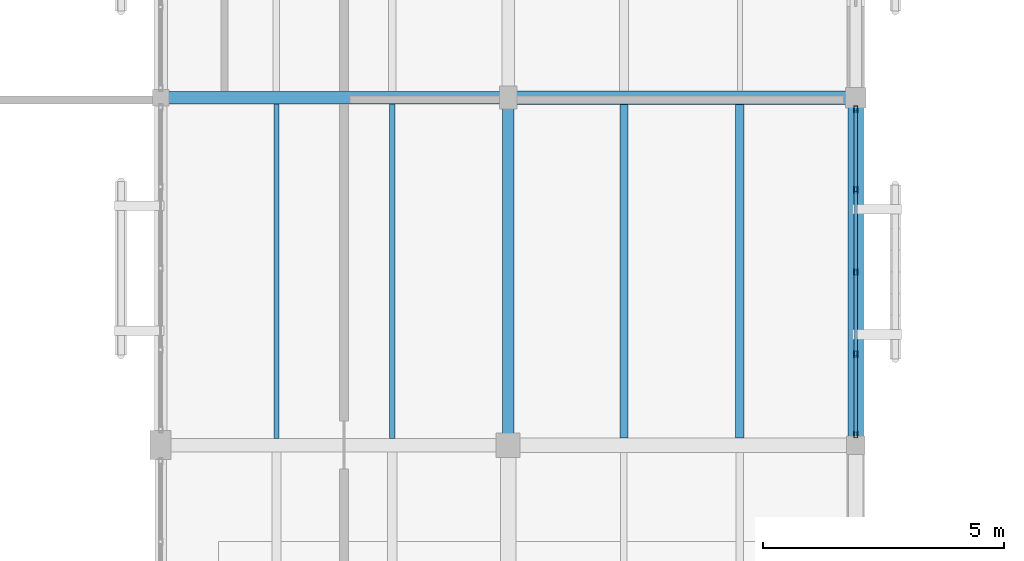
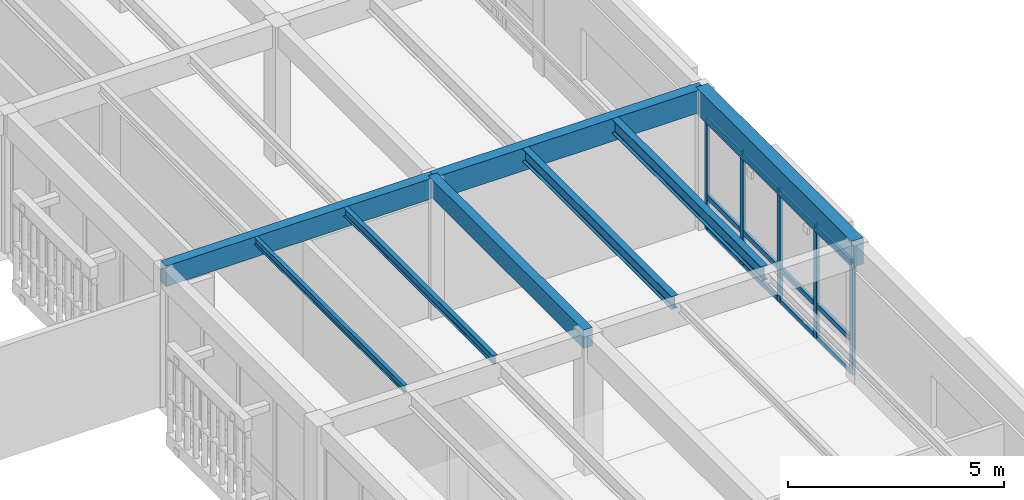
# One storey, part 36 of 112: 17 members, 8 beams, 1 element without a shape of its own.
"""IFC4 building model written with IfcOpenShell, lengths in metres."""

from ifc_helpers import new_model, si_unit, direction, frame, origin, origin_2d, place, context, subcontext, project, spatial, rectangle, hollow_rectangle, i_section, extrude, material, layer, layer_set, material_profile, profile_set, type_object, element, aggregate, save


model = new_model("IFC4")

# Units and contexts
model_context = context("Model", 3, precision=1e-05, world=origin(), true_north=direction((0.0, 1.0)))
body_context = subcontext(model_context, "Body", "Model", "MODEL_VIEW")
ifc_project = project(units=[si_unit("LENGTHUNIT", "METRE"), si_unit("AREAUNIT", "SQUARE_METRE"), si_unit("VOLUMEUNIT", "CUBIC_METRE"), si_unit("PLANEANGLEUNIT", "RADIAN"), si_unit("MASSUNIT", "GRAM", prefix="KILO")], contexts=[model_context])

# Site, building, storey
site_placement = place(None, origin())
site = spatial("IfcSite", under=ifc_project, at=site_placement, CompositionType="ELEMENT")
building_placement = place(site_placement, origin())
building = spatial("IfcBuilding", under=site, at=building_placement, Name="Mazaris Harbour Polytechnic", CompositionType="ELEMENT")
storey_placement = place(building_placement, frame((0.0, 0.0, 13.800048828125)))
storey = spatial("IfcBuildingStorey", under=building, at=storey_placement, Name="L03", CompositionType="ELEMENT", Elevation=13.800048828125)

# Curtain wall, members
ifc_material_1 = material(Name="Anodised Bronze Aluminium and Low-E Glass", Category="aluminium")
ifc_layer = layer(ifc_material_1, 0.159912109375, Name="Anodised Bronze Aluminium and Low-E Glass")
ifc_layer_set = layer_set([ifc_layer], Name="Anodised Bronze Aluminium and Low-E Glass")
curtain_wall_type = type_object("IfcCurtainWallType", Name="Cloister Court Curtain Wall", PredefinedType="NOTDEFINED", material=ifc_layer_set)
curtain_wall_placement = place(storey_placement, origin())
curtain_wall = element("IfcCurtainWall", 1, at=curtain_wall_placement, inside=storey, type_object=curtain_wall_type, Name="V4 L03 Curtain Wall 147", PredefinedType="NOTDEFINED")
ifc_material_2 = material(Name="Anodised Bronze Steel S355", Category="steel")
ifc_material_profile_1 = material_profile(ifc_material_2, hollow_rectangle(XDim=0.080078125, YDim=0.139892578125, WallThickness=0.00634765625, at=origin_2d()), Name="RHS 80x140x6.3")
ifc_profile_set_1 = profile_set([ifc_material_profile_1], Name="Anodised Bronze Steel S355")
member_type_1 = type_object("IfcMemberType", Name="Curtain Mullion RHS80x140", PredefinedType="MULLION", material=ifc_profile_set_1)
member_1_placement = place(storey_placement, frame((43.199951171875, 60.9580078125, 0.0), z_axis=(0.0, 0.0, 1.0), x_axis=(1.0, 0.0, 0.0)))
member_1 = element("IfcMember", 2, at=member_1_placement, type_object=member_type_1, Name="CW-02 mullion 1", PredefinedType="MULLION", context=body_context, shape_type="SweptSolid", body=[
    extrude(hollow_rectangle(XDim=0.080078125, YDim=0.139892578125, WallThickness=0.00634765625, at=origin_2d()), origin(), (0.0, 0.0, 1.0), 3.169921875),
])
member_2_placement = place(storey_placement, frame((43.199951171875, 59.2939453125, 0.0), z_axis=(0.0, 0.0, 1.0), x_axis=(1.0, 0.0, 0.0)))
member_2 = element("IfcMember", 3, at=member_2_placement, type_object=member_type_1, Name="CW-02 mullion 2", PredefinedType="MULLION", context=body_context, shape_type="SweptSolid", body=[
    extrude(hollow_rectangle(XDim=0.080078125, YDim=0.139892578125, WallThickness=0.00634765625, at=origin_2d()), origin(), (0.0, 0.0, 1.0), 3.169921875),
])
member_3_placement = place(storey_placement, frame((43.199951171875, 57.590087890625, 0.0), z_axis=(0.0, 0.0, 1.0), x_axis=(1.0, 0.0, 0.0)))
member_3 = element("IfcMember", 4, at=member_3_placement, type_object=member_type_1, Name="CW-02 mullion 3", PredefinedType="MULLION", context=body_context, shape_type="SweptSolid", body=[
    extrude(hollow_rectangle(XDim=0.080078125, YDim=0.139892578125, WallThickness=0.00634765625, at=origin_2d()), origin(), (0.0, 0.0, 1.0), 3.169921875),
])
member_4_placement = place(storey_placement, frame((43.199951171875, 55.885986328125, 0.0), z_axis=(0.0, 0.0, 1.0), x_axis=(1.0, 0.0, 0.0)))
member_4 = element("IfcMember", 5, at=member_4_placement, type_object=member_type_1, Name="CW-02 mullion 4", PredefinedType="MULLION", context=body_context, shape_type="SweptSolid", body=[
    extrude(hollow_rectangle(XDim=0.080078125, YDim=0.139892578125, WallThickness=0.00634765625, at=origin_2d()), origin(), (0.0, 0.0, 1.0), 3.169921875),
])
member_5_placement = place(storey_placement, frame((43.199951171875, 54.221923828125, 0.0), z_axis=(0.0, 0.0, 1.0), x_axis=(1.0, 0.0, 0.0)))
member_5 = element("IfcMember", 6, at=member_5_placement, type_object=member_type_1, Name="CW-02 mullion 5", PredefinedType="MULLION", context=body_context, shape_type="SweptSolid", body=[
    extrude(hollow_rectangle(XDim=0.080078125, YDim=0.139892578125, WallThickness=0.00634765625, at=origin_2d()), origin(), (0.0, 0.0, 1.0), 3.169921875),
])
ifc_material_3 = material(Name="Anodised Bronze Steel S355", Category="steel")
ifc_material_profile_2 = material_profile(ifc_material_3, hollow_rectangle(XDim=0.080078125, YDim=0.139892578125, WallThickness=0.00634765625, at=origin_2d()), Name="RHS 80x140x6.3")
ifc_profile_set_2 = profile_set([ifc_material_profile_2], Name="Anodised Bronze Steel S355")
member_type_2 = type_object("IfcMemberType", Name="Curtain Transom RHS80x140", PredefinedType="USERDEFINED", material=ifc_profile_set_2)
member_6_placement = place(storey_placement, frame((43.199951171875, 60.91796875, 0.0400390625), z_axis=(0.0, -1.0, 0.0), x_axis=(1.0, 0.0, 0.0)))
member_6 = element("IfcMember", 7, at=member_6_placement, type_object=member_type_2, Name="CW-02 transom 1.1", ObjectType="TRANSOM", PredefinedType="USERDEFINED", context=body_context, shape_type="SweptSolid", body=[
    extrude(hollow_rectangle(XDim=0.080078125, YDim=0.139892578125, WallThickness=0.00634765625, at=origin_2d()), origin(), (0.0, 0.0, 1.0), 1.583984375),
])
member_7_placement = place(storey_placement, frame((43.199951171875, 60.91796875, 0.949951171875), z_axis=(0.0, -1.0, 0.0), x_axis=(1.0, 0.0, 0.0)))
member_7 = element("IfcMember", 8, at=member_7_placement, type_object=member_type_2, Name="CW-02 transom 1.2", ObjectType="TRANSOM", PredefinedType="USERDEFINED", context=body_context, shape_type="SweptSolid", body=[
    extrude(hollow_rectangle(XDim=0.080078125, YDim=0.139892578125, WallThickness=0.00634765625, at=origin_2d()), origin(), (0.0, 0.0, 1.0), 1.583984375),
])
member_8_placement = place(storey_placement, frame((43.199951171875, 60.91796875, 3.1298828125), z_axis=(0.0, -1.0, 0.0), x_axis=(1.0, 0.0, 0.0)))
member_8 = element("IfcMember", 9, at=member_8_placement, type_object=member_type_2, Name="CW-02 transom 1.3", ObjectType="TRANSOM", PredefinedType="USERDEFINED", context=body_context, shape_type="SweptSolid", body=[
    extrude(hollow_rectangle(XDim=0.080078125, YDim=0.139892578125, WallThickness=0.00634765625, at=origin_2d()), origin(), (0.0, 0.0, 1.0), 1.583984375),
])
member_9_placement = place(storey_placement, frame((43.199951171875, 59.25390625, 0.0400390625), z_axis=(0.0, -1.0, 0.0), x_axis=(1.0, 0.0, 0.0)))
member_9 = element("IfcMember", 10, at=member_9_placement, type_object=member_type_2, Name="CW-02 transom 2.1", ObjectType="TRANSOM", PredefinedType="USERDEFINED", context=body_context, shape_type="SweptSolid", body=[
    extrude(hollow_rectangle(XDim=0.080078125, YDim=0.139892578125, WallThickness=0.00634765625, at=origin_2d()), origin(), (0.0, 0.0, 1.0), 1.6240234375),
])
member_10_placement = place(storey_placement, frame((43.199951171875, 59.25390625, 0.949951171875), z_axis=(0.0, -1.0, 0.0), x_axis=(1.0, 0.0, 0.0)))
member_10 = element("IfcMember", 11, at=member_10_placement, type_object=member_type_2, Name="CW-02 transom 2.2", ObjectType="TRANSOM", PredefinedType="USERDEFINED", context=body_context, shape_type="SweptSolid", body=[
    extrude(hollow_rectangle(XDim=0.080078125, YDim=0.139892578125, WallThickness=0.00634765625, at=origin_2d()), origin(), (0.0, 0.0, 1.0), 1.6240234375),
])
member_11_placement = place(storey_placement, frame((43.199951171875, 59.25390625, 3.1298828125), z_axis=(0.0, -1.0, 0.0), x_axis=(1.0, 0.0, 0.0)))
member_11 = element("IfcMember", 12, at=member_11_placement, type_object=member_type_2, Name="CW-02 transom 2.3", ObjectType="TRANSOM", PredefinedType="USERDEFINED", context=body_context, shape_type="SweptSolid", body=[
    extrude(hollow_rectangle(XDim=0.080078125, YDim=0.139892578125, WallThickness=0.00634765625, at=origin_2d()), origin(), (0.0, 0.0, 1.0), 1.6240234375),
])
member_12_placement = place(storey_placement, frame((43.199951171875, 57.550048828125, 0.0400390625), z_axis=(0.0, -1.0, 0.0), x_axis=(1.0, 0.0, 0.0)))
member_12 = element("IfcMember", 13, at=member_12_placement, type_object=member_type_2, Name="CW-02 transom 3.1", ObjectType="TRANSOM", PredefinedType="USERDEFINED", context=body_context, shape_type="SweptSolid", body=[
    extrude(hollow_rectangle(XDim=0.080078125, YDim=0.139892578125, WallThickness=0.00634765625, at=origin_2d()), origin(), (0.0, 0.0, 1.0), 1.6240234375),
])
member_13_placement = place(storey_placement, frame((43.199951171875, 57.550048828125, 0.949951171875), z_axis=(0.0, -1.0, 0.0), x_axis=(1.0, 0.0, 0.0)))
member_13 = element("IfcMember", 14, at=member_13_placement, type_object=member_type_2, Name="CW-02 transom 3.2", ObjectType="TRANSOM", PredefinedType="USERDEFINED", context=body_context, shape_type="SweptSolid", body=[
    extrude(hollow_rectangle(XDim=0.080078125, YDim=0.139892578125, WallThickness=0.00634765625, at=origin_2d()), origin(), (0.0, 0.0, 1.0), 1.6240234375),
])
member_14_placement = place(storey_placement, frame((43.199951171875, 57.550048828125, 3.1298828125), z_axis=(0.0, -1.0, 0.0), x_axis=(1.0, 0.0, 0.0)))
member_14 = element("IfcMember", 15, at=member_14_placement, type_object=member_type_2, Name="CW-02 transom 3.3", ObjectType="TRANSOM", PredefinedType="USERDEFINED", context=body_context, shape_type="SweptSolid", body=[
    extrude(hollow_rectangle(XDim=0.080078125, YDim=0.139892578125, WallThickness=0.00634765625, at=origin_2d()), origin(), (0.0, 0.0, 1.0), 1.6240234375),
])
member_15_placement = place(storey_placement, frame((43.199951171875, 55.845947265625, 0.0400390625), z_axis=(0.0, -1.0, 0.0), x_axis=(1.0, 0.0, 0.0)))
member_15 = element("IfcMember", 16, at=member_15_placement, type_object=member_type_2, Name="CW-02 transom 4.1", ObjectType="TRANSOM", PredefinedType="USERDEFINED", context=body_context, shape_type="SweptSolid", body=[
    extrude(hollow_rectangle(XDim=0.080078125, YDim=0.139892578125, WallThickness=0.00634765625, at=origin_2d()), origin(), (0.0, 0.0, 1.0), 1.583984375),
])
member_16_placement = place(storey_placement, frame((43.199951171875, 55.845947265625, 0.949951171875), z_axis=(0.0, -1.0, 0.0), x_axis=(1.0, 0.0, 0.0)))
member_16 = element("IfcMember", 17, at=member_16_placement, type_object=member_type_2, Name="CW-02 transom 4.2", ObjectType="TRANSOM", PredefinedType="USERDEFINED", context=body_context, shape_type="SweptSolid", body=[
    extrude(hollow_rectangle(XDim=0.080078125, YDim=0.139892578125, WallThickness=0.00634765625, at=origin_2d()), origin(), (0.0, 0.0, 1.0), 1.583984375),
])
member_17_placement = place(storey_placement, frame((43.199951171875, 55.845947265625, 3.1298828125), z_axis=(0.0, -1.0, 0.0), x_axis=(1.0, 0.0, 0.0)))
member_17 = element("IfcMember", 18, at=member_17_placement, type_object=member_type_2, Name="CW-02 transom 4.3", ObjectType="TRANSOM", PredefinedType="USERDEFINED", context=body_context, shape_type="SweptSolid", body=[
    extrude(hollow_rectangle(XDim=0.080078125, YDim=0.139892578125, WallThickness=0.00634765625, at=origin_2d()), origin(), (0.0, 0.0, 1.0), 1.583984375),
])
aggregate(curtain_wall, [member_1, member_2, member_3, member_4, member_5, member_6, member_7, member_8, member_9, member_10, member_11, member_12, member_13, member_14, member_15, member_16, member_17])

# Beams
ifc_material_4 = material(Name="Glulam GL32h", Category="wood")
ifc_material_profile_3 = material_profile(ifc_material_4, rectangle(XDim=0.239990234375, YDim=0.52001953125, at=origin_2d()), Name="RECT240x520")
ifc_profile_set_3 = profile_set([ifc_material_profile_3], Name="Glulam GL32h")
beam_type_1 = type_object("IfcBeamType", Name="Glulam Girder 240x520", PredefinedType="BEAM", material=ifc_profile_set_3)
beam_1_placement = place(storey_placement, frame((36.0, 54.0, 3.659912109375), z_axis=(0.0, 1.0, 0.0), x_axis=(-1.0, 0.0, 0.0)))
element("IfcBeam", 19, at=beam_1_placement, inside=storey, type_object=beam_type_1, Name="V4 L03 Tie Girder 2265", PredefinedType="BEAM", context=body_context, shape_type="SweptSolid", body=[
    extrude(rectangle(XDim=0.239990234375, YDim=0.52001953125, at=origin_2d()), origin(), (0.0, 0.0, 1.0), 7.199951171875),
])
ifc_material_5 = material(Name="Glulam GL32h", Category="wood")
ifc_material_profile_4 = material_profile(ifc_material_5, rectangle(XDim=0.260009765625, YDim=0.580078125, at=origin_2d()), Name="RECT260x580")
ifc_profile_set_4 = profile_set([ifc_material_profile_4], Name="Glulam GL32h")
beam_type_2 = type_object("IfcBeamType", Name="Glulam Girder 260x580", PredefinedType="BEAM", material=ifc_profile_set_4)
beam_2_placement = place(storey_placement, frame((28.800048828125, 61.199951171875, 3.6298828125), z_axis=(1.0, 0.0, 0.0), x_axis=(0.0, 1.0, 0.0)))
element("IfcBeam", 20, at=beam_2_placement, inside=storey, type_object=beam_type_2, Name="V4 L03 Girder 2206", PredefinedType="BEAM", context=body_context, shape_type="SweptSolid", body=[
    extrude(rectangle(XDim=0.260009765625, YDim=0.580078125, at=origin_2d()), origin(), (0.0, 0.0, 1.0), 7.199951171875),
])
ifc_material_6 = material(Name="Glulam GL32h", Category="wood")
ifc_material_profile_5 = material_profile(ifc_material_6, rectangle(XDim=0.280029296875, YDim=0.639892578125, at=origin_2d()), Name="RECT280x640")
ifc_profile_set_5 = profile_set([ifc_material_profile_5], Name="Glulam GL32h")
beam_type_3 = type_object("IfcBeamType", Name="Glulam Girder 280x640", PredefinedType="BEAM", material=ifc_profile_set_5)
beam_3_placement = place(storey_placement, frame((36.0, 61.199951171875, 3.599853515625), z_axis=(1.0, 0.0, 0.0), x_axis=(0.0, 1.0, 0.0)))
element("IfcBeam", 21, at=beam_3_placement, inside=storey, type_object=beam_type_3, Name="V4 L03 Girder 2207", PredefinedType="BEAM", context=body_context, shape_type="SweptSolid", body=[
    extrude(rectangle(XDim=0.280029296875, YDim=0.639892578125, at=origin_2d()), origin(), (0.0, 0.0, 1.0), 7.199951171875),
])
ifc_material_7 = material(Name="Glulam GL32h", Category="wood")
ifc_material_profile_6 = material_profile(ifc_material_7, rectangle(XDim=0.320068359375, YDim=0.739990234375, at=origin_2d()), Name="RECT320x740")
ifc_profile_set_6 = profile_set([ifc_material_profile_6], Name="Glulam GL32h")
beam_type_4 = type_object("IfcBeamType", Name="Glulam Girder 320x740 Exterior", PredefinedType="BEAM", material=ifc_profile_set_6)
beam_4_placement = place(storey_placement, frame((43.199951171875, 54.0, 3.550048828125), z_axis=(0.0, 1.0, 0.0), x_axis=(-1.0, 0.0, 0.0)))
element("IfcBeam", 22, at=beam_4_placement, inside=storey, type_object=beam_type_4, Name="V4 L03 Tie Girder 2274", PredefinedType="BEAM", context=body_context, shape_type="SweptSolid", body=[
    extrude(rectangle(XDim=0.320068359375, YDim=0.739990234375, at=origin_2d()), origin(), (0.0, 0.0, 1.0), 7.199951171875),
])
ifc_material_8 = material(Name="Steel S355", Category="steel")
ifc_material_profile_7 = material_profile(ifc_material_8, i_section(OverallWidth=0.10009765625, OverallDepth=0.199951171875, WebThickness=0.005615234375, FlangeThickness=0.008544921875, FilletRadius=0.011962890625, at=origin_2d()), Name="IPE 200")
ifc_profile_set_7 = profile_set([ifc_material_profile_7], Name="Steel S355")
beam_type_5 = type_object("IfcBeamType", Name="Steel Joist IPE200", PredefinedType="JOIST", material=ifc_profile_set_7)
beam_5_placement = place(storey_placement, frame((31.199951171875, 54.139892578125, 3.820068359375), z_axis=(0.0, 1.0, 0.0), x_axis=(-1.0, 0.0, 0.0)))
element("IfcBeam", 23, at=beam_5_placement, inside=storey, type_object=beam_type_5, Name="V4 L03 Floor Joist 2338", PredefinedType="JOIST", context=body_context, shape_type="SweptSolid", body=[
    extrude(i_section(OverallWidth=0.10009765625, OverallDepth=0.199951171875, WebThickness=0.005615234375, FlangeThickness=0.008544921875, FilletRadius=0.011962890625, at=origin_2d()), origin(), (0.0, 0.0, 1.0), 6.93017578125),
])
ifc_material_9 = material(Name="Steel S355", Category="steel")
ifc_material_profile_8 = material_profile(ifc_material_9, i_section(OverallWidth=0.1201171875, OverallDepth=0.239990234375, WebThickness=0.006103515625, FlangeThickness=0.009765625, FilletRadius=0.014892578125, at=origin_2d()), Name="IPE 240")
ifc_profile_set_8 = profile_set([ifc_material_profile_8], Name="Steel S355")
beam_type_6 = type_object("IfcBeamType", Name="Steel Joist IPE240", PredefinedType="JOIST", material=ifc_profile_set_8)
beam_6_placement = place(storey_placement, frame((33.60009765625, 54.139892578125, 3.800048828125), z_axis=(0.0, 1.0, 0.0), x_axis=(-1.0, 0.0, 0.0)))
element("IfcBeam", 24, at=beam_6_placement, inside=storey, type_object=beam_type_6, Name="V4 L03 Floor Joist 2339", PredefinedType="JOIST", context=body_context, shape_type="SweptSolid", body=[
    extrude(i_section(OverallWidth=0.1201171875, OverallDepth=0.239990234375, WebThickness=0.006103515625, FlangeThickness=0.009765625, FilletRadius=0.014892578125, at=origin_2d()), origin(), (0.0, 0.0, 1.0), 6.93017578125),
])
ifc_material_10 = material(Name="Steel S355", Category="steel")
ifc_material_profile_9 = material_profile(ifc_material_10, i_section(OverallWidth=0.169921875, OverallDepth=0.360107421875, WebThickness=0.008056640625, FlangeThickness=0.0126953125, FilletRadius=0.01806640625, at=origin_2d()), Name="IPE 360")
ifc_profile_set_9 = profile_set([ifc_material_profile_9], Name="Steel S355")
beam_type_7 = type_object("IfcBeamType", Name="Steel Joist IPE360", PredefinedType="JOIST", material=ifc_profile_set_9)
beam_7_placement = place(storey_placement, frame((38.39990234375, 54.14990234375, 3.739990234375), z_axis=(0.0, 1.0, 0.0), x_axis=(-1.0, 0.0, 0.0)))
element("IfcBeam", 25, at=beam_7_placement, inside=storey, type_object=beam_type_7, Name="V4 L03 Floor Joist 2356", PredefinedType="JOIST", context=body_context, shape_type="SweptSolid", body=[
    extrude(i_section(OverallWidth=0.169921875, OverallDepth=0.360107421875, WebThickness=0.008056640625, FlangeThickness=0.0126953125, FilletRadius=0.01806640625, at=origin_2d()), origin(), (0.0, 0.0, 1.0), 6.91015625),
])
ifc_material_11 = material(Name="Steel S355", Category="steel")
ifc_material_profile_10 = material_profile(ifc_material_11, i_section(OverallWidth=0.179931640625, OverallDepth=0.39990234375, WebThickness=0.008544921875, FlangeThickness=0.013427734375, FilletRadius=0.02099609375, at=origin_2d()), Name="IPE 400")
ifc_profile_set_10 = profile_set([ifc_material_profile_10], Name="Steel S355")
beam_type_8 = type_object("IfcBeamType", Name="Steel Joist IPE400", PredefinedType="JOIST", material=ifc_profile_set_10)
beam_8_placement = place(storey_placement, frame((40.800048828125, 54.14990234375, 3.719970703125), z_axis=(0.0, 1.0, 0.0), x_axis=(-1.0, 0.0, 0.0)))
element("IfcBeam", 26, at=beam_8_placement, inside=storey, type_object=beam_type_8, Name="V4 L03 Floor Joist 2357", PredefinedType="JOIST", context=body_context, shape_type="SweptSolid", body=[
    extrude(i_section(OverallWidth=0.179931640625, OverallDepth=0.39990234375, WebThickness=0.008544921875, FlangeThickness=0.013427734375, FilletRadius=0.02099609375, at=origin_2d()), origin(), (0.0, 0.0, 1.0), 6.91015625),
])

save(model, "model.ifc")
